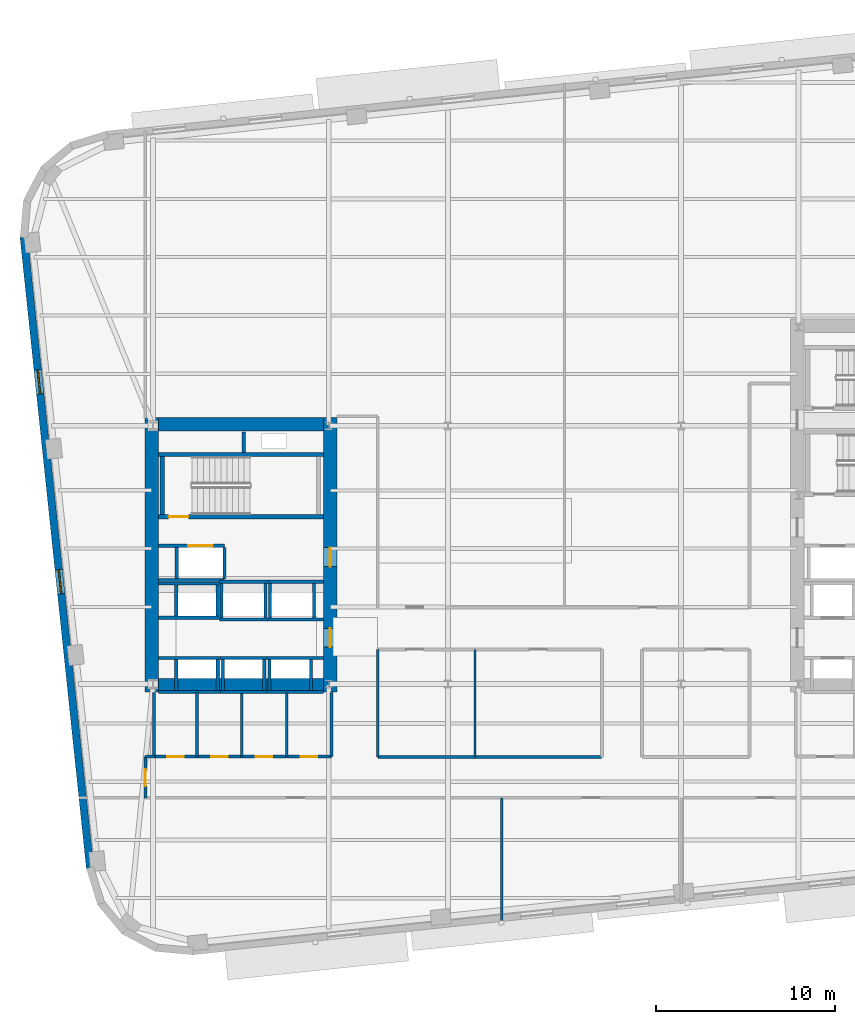
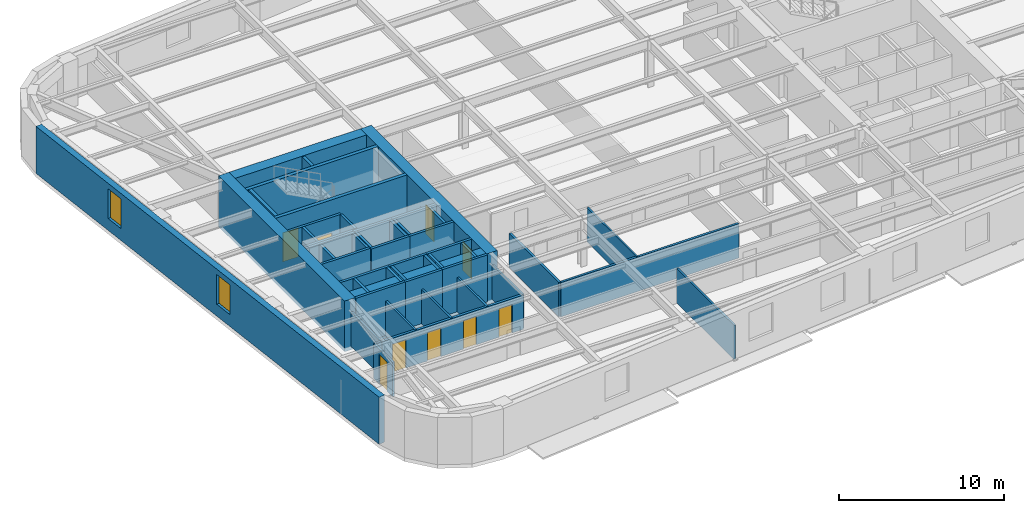
# One storey, part 4 of 12: 49 walls, 9 doors, 2 windows, 11 openings.
"""IFC4 building model written with IfcOpenShell, lengths in metres."""

from ifc_helpers import new_model, si_unit, direction, frame, frame_2d, origin, place, context, subcontext, project, spatial, rectangle, extrude, material, layer, layer_set, type_object, element, fill, save


model = new_model("IFC4")

# Units and contexts
model_context = context("Model", 3, precision=1e-05, world=origin(), true_north=direction((0.0, 1.0)))
body_context = subcontext(model_context, "Body", "Model", "MODEL_VIEW")
ifc_project = project(units=[si_unit("LENGTHUNIT", "METRE"), si_unit("AREAUNIT", "SQUARE_METRE"), si_unit("VOLUMEUNIT", "CUBIC_METRE"), si_unit("PLANEANGLEUNIT", "RADIAN"), si_unit("MASSUNIT", "GRAM", prefix="KILO")], contexts=[model_context])

# Site, building, storey
site_placement = place(None, origin())
site = spatial("IfcSite", under=ifc_project, at=site_placement, CompositionType="ELEMENT")
building_placement = place(site_placement, origin())
building = spatial("IfcBuilding", under=site, at=building_placement, Name="Kolvaren Arena Tower", CompositionType="ELEMENT")
storey_placement = place(building_placement, frame((0.0, 0.0, 110.949951171875)))
storey = spatial("IfcBuildingStorey", under=building, at=storey_placement, Name="L25", CompositionType="ELEMENT", Elevation=110.949951171875)

# Walls
ifc_material_1 = material(Name="Gypsum board acoustic assembly", Category="gypsum")
ifc_layer_1 = layer(ifc_material_1, 0.159912109375)
ifc_layer_set_1 = layer_set([ifc_layer_1], Name="Gypsum board acoustic assembly")
wall_type_1 = type_object("IfcWallType", Name="CORR-160", PredefinedType="PARTITIONING", material=ifc_layer_set_1)
wall_1_placement = place(storey_placement, frame((27.10009765625, 15.3798828125, 0.0), z_axis=(0.0, 0.0, 1.0), x_axis=(1.0, 0.0, 0.0)))
element("IfcWall", 1, at=wall_1_placement, inside=storey, type_object=wall_type_1, Name="Interior Partition Wall (L25)", PredefinedType="PARTITIONING", context=body_context, shape_type="SweptSolid", body=[
    extrude(rectangle(XDim=12.4599609375, YDim=0.159912109375, at=frame_2d((6.22998046875, 0.0))), origin(), (0.0, 0.0, 1.0), 2.5400390625),
])
wall_2_placement = place(storey_placement, frame((27.080078125, 15.3798828125, 0.0), z_axis=(0.0, 0.0, 1.0), x_axis=(0.0, 1.0, 0.0)))
element("IfcWall", 2, at=wall_2_placement, inside=storey, type_object=wall_type_1, Name="Interior Partition Wall (L25)", PredefinedType="PARTITIONING", context=body_context, shape_type="SweptSolid", body=[
    extrude(rectangle(XDim=6.0, YDim=0.159912109375, at=frame_2d((3.0, 0.0))), origin(), (0.0, 0.0, 1.0), 2.5400390625),
])

# Wall, opening, door
wall_3_placement = place(storey_placement, frame((14.1201171875, 13.10009765625, 0.0), z_axis=(0.0, 0.0, 1.0), x_axis=(0.0, 1.0, 0.0)))
wall_3 = element("IfcWall", 3, at=wall_3_placement, inside=storey, type_object=wall_type_1, Name="Interior Partition Wall (L25)", PredefinedType="PARTITIONING", context=body_context, shape_type="SweptSolid", body=[
    extrude(rectangle(XDim=2.2998046875, YDim=0.159912109375, at=frame_2d((1.14990234375, 0.0))), origin(), (0.0, 0.0, 1.0), 2.5400390625),
])
opening_1_placement = place(wall_3_placement, frame((0.64990234375, 0.0, 0.0)))
opening_1 = element("IfcOpeningElement", 4, at=opening_1_placement, cuts=wall_3, Name="Opening D05", PredefinedType="OPENING", context=body_context, shape_type="SweptSolid", body=[
    extrude(rectangle(XDim=0.949951171875, YDim=2.14990234375, at=frame_2d((0.47509765625, 1.074951171875))), frame((0.0, 0.08984375, 0.0), z_axis=(0.0, -1.0, 0.0), x_axis=(1.0, 0.0, 0.0)), (0.0, 0.0, 1.0), 0.179931640625),
])
ifc_material_2 = material(Name="Solid-core oak acoustic office door", Category="wood")
door_type_1 = type_object("IfcDoorType", Name="DOOR-OF-095", OperationType="NOTDEFINED", PredefinedType="DOOR", material=ifc_material_2)
door_1_placement = place(opening_1_placement, origin())
door_1 = element("IfcDoor", 5, at=door_1_placement, inside=storey, type_object=door_type_1, Name="West Wing Office Door (L25)", OperationType="SINGLE_SWING_LEFT", OverallHeight=2.14990234375, OverallWidth=0.949951171875, PredefinedType="DOOR", context=body_context, shape_type="SweptSolid", body=[
    extrude(rectangle(XDim=0.949951171875, YDim=2.14990234375, at=frame_2d((0.47509765625, 1.074951171875))), frame((0.0, 0.02490234375, 0.0), z_axis=(0.0, -1.0, 0.0), x_axis=(1.0, 0.0, 0.0)), (0.0, 0.0, 1.0), 0.050048828125),
])
fill(opening_1, door_1)

# Walls
wall_4_placement = place(storey_placement, frame((14.1201171875, 15.39990234375, 0.0), z_axis=(0.0, 0.0, 1.0), x_axis=(1.0, 0.0, 0.0)))
element("IfcWall", 6, at=wall_4_placement, inside=storey, type_object=wall_type_1, Name="Interior Partition Wall (L25)", PredefinedType="PARTITIONING", context=body_context, shape_type="SweptSolid", body=[
    extrude(rectangle(XDim=0.5, YDim=0.159912109375, at=frame_2d((0.25, 0.0))), origin(), (0.0, 0.0, 1.0), 2.5400390625),
])
ifc_material_3 = material(Name="Concrete 70 MPa", Category="concrete")
ifc_layer_2 = layer(ifc_material_3, 0.75)
ifc_layer_set_2 = layer_set([ifc_layer_2], Name="Concrete 70 MPa")
wall_type_2 = type_object("IfcWallType", Name="CWALL-750", PredefinedType="SHEAR", material=ifc_layer_set_2)
wall_5_placement = place(storey_placement, frame((14.47509765625, 19.0, -0.27001953125), z_axis=(0.0, 0.0, 1.0), x_axis=(0.0, 1.0, 0.0)))
element("IfcWall", 7, at=wall_5_placement, inside=storey, type_object=wall_type_2, Name="Core Shear Wall WC-WEST (L25)", PredefinedType="SHEAR", context=body_context, shape_type="SweptSolid", body=[
    extrude(rectangle(XDim=15.300048828125, YDim=0.75, at=frame_2d((7.64990234375, 0.0))), origin(), (0.0, 0.0, 1.0), 3.75),
])

# Wall, openings, doors
wall_6_placement = place(storey_placement, frame((24.425048828125, 19.0, -0.27001953125), z_axis=(0.0, 0.0, 1.0), x_axis=(0.0, 1.0, 0.0)))
wall_6 = element("IfcWall", 8, at=wall_6_placement, inside=storey, type_object=wall_type_2, Name="Core Shear Wall WC-EAST (L25)", PredefinedType="SHEAR", context=body_context, shape_type="SweptSolid", body=[
    extrude(rectangle(XDim=15.300048828125, YDim=0.75, at=frame_2d((7.64990234375, 0.0))), origin(), (0.0, 0.0, 1.0), 3.75),
])
opening_2_placement = place(wall_6_placement, frame((2.5, 0.0, 0.27001953125)))
opening_2 = element("IfcOpeningElement", 9, at=opening_2_placement, cuts=wall_6, Name="Opening D04", PredefinedType="OPENING", context=body_context, shape_type="SweptSolid", body=[
    extrude(rectangle(XDim=1.050048828125, YDim=2.14990234375, at=frame_2d((0.52490234375, 1.074951171875))), frame((0.0, 0.385009765625, 0.0), z_axis=(0.0, -1.0, 0.0), x_axis=(1.0, 0.0, 0.0)), (0.0, 0.0, 1.0), 0.77001953125),
])
opening_3_placement = place(wall_6_placement, frame((7.0, 0.0, 0.27001953125)))
opening_3 = element("IfcOpeningElement", 10, at=opening_3_placement, cuts=wall_6, Name="Opening D04", PredefinedType="OPENING", context=body_context, shape_type="SweptSolid", body=[
    extrude(rectangle(XDim=1.050048828125, YDim=2.14990234375, at=frame_2d((0.52490234375, 1.074951171875))), frame((0.0, 0.385009765625, 0.0), z_axis=(0.0, -1.0, 0.0), x_axis=(1.0, 0.0, 0.0)), (0.0, 0.0, 1.0), 0.77001953125),
])
ifc_material_4 = material(Name="Fire-rated steel lobby door", Category="steel")
door_type_2 = type_object("IfcDoorType", Name="DOOR-FF-105", OperationType="NOTDEFINED", PredefinedType="DOOR", material=ifc_material_4)
door_2_placement = place(opening_2_placement, origin())
door_2 = element("IfcDoor", 11, at=door_2_placement, inside=storey, type_object=door_type_2, Name="West Lift Lobby Fire Door (L25)", OperationType="SINGLE_SWING_LEFT", OverallHeight=2.14990234375, OverallWidth=1.050048828125, PredefinedType="DOOR", context=body_context, shape_type="SweptSolid", body=[
    extrude(rectangle(XDim=1.050048828125, YDim=2.14990234375, at=frame_2d((0.52490234375, 1.074951171875))), frame((0.0, 0.02490234375, 0.0), z_axis=(0.0, -1.0, 0.0), x_axis=(1.0, 0.0, 0.0)), (0.0, 0.0, 1.0), 0.050048828125),
])
fill(opening_2, door_2)
door_3_placement = place(opening_3_placement, origin())
door_3 = element("IfcDoor", 12, at=door_3_placement, inside=storey, type_object=door_type_2, Name="West Firefighter Vestibule Door (L25)", OperationType="SINGLE_SWING_RIGHT", OverallHeight=2.14990234375, OverallWidth=1.050048828125, PredefinedType="DOOR", context=body_context, shape_type="SweptSolid", body=[
    extrude(rectangle(XDim=1.050048828125, YDim=2.14990234375, at=frame_2d((0.52490234375, 1.074951171875))), frame((0.0, 0.02490234375, 0.0), z_axis=(0.0, -1.0, 0.0), x_axis=(1.0, 0.0, 0.0)), (0.0, 0.0, 1.0), 0.050048828125),
])
fill(opening_3, door_3)

# Walls
for number, where, z_axis, x_axis, name in (
    (13, (14.85009765625, 19.375, -0.27001953125), (0.0, 0.0, 1.0), (1.0, 0.0, 0.0), "Core Shear Wall WC-SOUTH (L25)"),
    (14, (14.85009765625, 33.925048828125, -0.27001953125), (0.0, 0.0, 1.0), (1.0, 0.0, 0.0), "Core Shear Wall WC-NORTH (L25)"),
):
    element("IfcWall", number, at=place(storey_placement, frame(where, z_axis=z_axis, x_axis=x_axis)), inside=storey, type_object=wall_type_2, Name=name, PredefinedType="SHEAR", context=body_context, shape_type="SweptSolid", body=[
        extrude(rectangle(XDim=9.199951171875, YDim=0.75, at=frame_2d((4.60009765625, 0.0))), origin(), (0.0, 0.0, 1.0), 3.75),
    ])

# Wall, openings, windows
ifc_material_5 = material(Name="Precast concrete C50/60", Category="concrete")
ifc_layer_3 = layer(ifc_material_5, 0.419921875)
ifc_layer_set_3 = layer_set([ifc_layer_3], Name="Precast concrete C50/60")
wall_type_3 = type_object("IfcWallType", Name="EXT-PIER1", PredefinedType="SOLIDWALL", material=ifc_layer_set_3)
wall_7_placement = place(storey_placement, frame((11.039794921875, 9.16943359375, 0.0), z_axis=(0.0, 0.0, 1.0), x_axis=(-0.104532207177, 0.99452150186, 0.0)))
wall_7 = element("IfcWall", 15, at=wall_7_placement, inside=storey, type_object=wall_type_3, Name="Exterior Precast Masonry-Frame Wall (L25)", PredefinedType="SOLIDWALL", context=body_context, shape_type="SweptSolid", body=[
    extrude(rectangle(XDim=35.39990234375, YDim=0.419921875, at=frame_2d((17.699951171875, 0.0))), origin(), (0.0, 0.0, 1.0), 3.47998046875),
])
opening_4_placement = place(wall_7_placement, frame((15.39990234375, 0.0, 0.8798828125)))
opening_4 = element("IfcOpeningElement", 16, at=opening_4_placement, cuts=wall_7, Name="Opening W04", PredefinedType="OPENING", context=body_context, shape_type="SweptSolid", body=[
    extrude(rectangle(XDim=1.35009765625, YDim=2.199951171875, at=frame_2d((0.675048828125, 1.10009765625))), frame((0.0, 0.219970703125, 0.0), z_axis=(0.0, -1.0, 0.0), x_axis=(1.0, 0.0, 0.0)), (0.0, 0.0, 1.0), 0.43994140625),
])
opening_5_placement = place(wall_7_placement, frame((26.60009765625, 0.0, 0.8798828125)))
opening_5 = element("IfcOpeningElement", 17, at=opening_5_placement, cuts=wall_7, Name="Opening W04", PredefinedType="OPENING", context=body_context, shape_type="SweptSolid", body=[
    extrude(rectangle(XDim=1.35009765625, YDim=2.199951171875, at=frame_2d((0.675048828125, 1.10009765625))), frame((0.0, 0.219970703125, 0.0), z_axis=(0.0, -1.0, 0.0), x_axis=(1.0, 0.0, 0.0)), (0.0, 0.0, 1.0), 0.43994140625),
])
ifc_material_6 = material(Name="Triple-glazed curved-facet corner window", Category="glass")
window_type = type_object("IfcWindowType", Name="WIN-CRN-A", PartitioningType="SINGLE_PANEL", PredefinedType="WINDOW", material=ifc_material_6)
window_1_placement = place(opening_4_placement, origin())
window_1 = element("IfcWindow", 18, at=window_1_placement, inside=storey, type_object=window_type, Name="End-Wall Punched Window (L25)", OverallHeight=2.199951171875, OverallWidth=1.35009765625, PartitioningType="SINGLE_PANEL", PredefinedType="WINDOW", context=body_context, shape_type="SweptSolid", body=[
    extrude(rectangle(XDim=1.35009765625, YDim=2.199951171875, at=frame_2d((0.675048828125, 1.10009765625))), frame((0.0, 0.030029296875, 0.0), z_axis=(0.0, -1.0, 0.0), x_axis=(1.0, 0.0, 0.0)), (0.0, 0.0, 1.0), 0.06005859375),
])
fill(opening_4, window_1)
window_2_placement = place(opening_5_placement, origin())
window_2 = element("IfcWindow", 19, at=window_2_placement, inside=storey, type_object=window_type, Name="End-Wall Punched Window (L25)", OverallHeight=2.199951171875, OverallWidth=1.35009765625, PartitioningType="SINGLE_PANEL", PredefinedType="WINDOW", context=body_context, shape_type="SweptSolid", body=[
    extrude(rectangle(XDim=1.35009765625, YDim=2.199951171875, at=frame_2d((0.675048828125, 1.10009765625))), frame((0.0, 0.030029296875, 0.0), z_axis=(0.0, -1.0, 0.0), x_axis=(1.0, 0.0, 0.0)), (0.0, 0.0, 1.0), 0.06005859375),
])
fill(opening_5, window_2)

# Walls
ifc_material_7 = material(Name="Gypsum board partition assembly", Category="gypsum")
ifc_layer_4 = layer(ifc_material_7, 0.114990234375)
ifc_layer_set_4 = layer_set([ifc_layer_4], Name="Gypsum board partition assembly")
wall_type_4 = type_object("IfcWallType", Name="PART-115", PredefinedType="PARTITIONING", material=ifc_layer_set_4)
wall_8_placement = place(storey_placement, frame((32.5, 15.3798828125, 0.0), z_axis=(0.0, 0.0, 1.0), x_axis=(0.0, 1.0, 0.0)))
element("IfcWall", 20, at=wall_8_placement, inside=storey, type_object=wall_type_4, Name="Interior Partition Wall (L25)", PredefinedType="PARTITIONING", context=body_context, shape_type="SweptSolid", body=[
    extrude(rectangle(XDim=6.0, YDim=0.114990234375, at=frame_2d((3.0, 0.0))), origin(), (0.0, 0.0, 1.0), 2.5400390625),
])
ifc_layer_5 = layer(ifc_material_7, 0.135009765625)
ifc_layer_set_5 = layer_set([ifc_layer_5], Name="Gypsum board partition assembly")
wall_type_5 = type_object("IfcWallType", Name="PART-135", PredefinedType="PARTITIONING", material=ifc_layer_set_5)
wall_9_placement = place(storey_placement, frame((34.0, 6.153076171875, 0.0), z_axis=(0.0, 0.0, 1.0), x_axis=(0.0, 1.0, 0.0)))
element("IfcWall", 21, at=wall_9_placement, inside=storey, type_object=wall_type_5, Name="Interior Partition Wall (L25)", PredefinedType="PARTITIONING", context=body_context, shape_type="SweptSolid", body=[
    extrude(rectangle(XDim=6.947021484375, YDim=0.135009765625, at=frame_2d((3.4736328125, 0.0))), origin(), (0.0, 0.0, 1.0), 2.5400390625),
])

# Wall, opening, door
ifc_material_8 = material(Name="Concrete 45 MPa", Category="concrete")
ifc_layer_6 = layer(ifc_material_8, 0.25)
ifc_layer_set_6 = layer_set([ifc_layer_6], Name="Concrete 45 MPa")
wall_type_6 = type_object("IfcWallType", Name="SHAFT-250", PredefinedType="SOLIDWALL", material=ifc_layer_set_6)
wall_10_placement = place(storey_placement, frame((24.050048828125, 28.780029296875, 0.0), z_axis=(0.0, 0.0, 1.0), x_axis=(-1.0, 0.0, 0.0)))
wall_10 = element("IfcWall", 22, at=wall_10_placement, inside=storey, type_object=wall_type_6, Name="Core Shaft Wall (L25)", PredefinedType="SOLIDWALL", context=body_context, shape_type="SweptSolid", body=[
    extrude(rectangle(XDim=9.199951171875, YDim=0.239990234375, at=frame_2d((4.60009765625, 0.0))), origin(), (0.0, 0.0, 1.0), 3.47998046875),
])
opening_6_placement = place(wall_10_placement, frame((7.530029296875, 0.0, 0.0)))
opening_6 = element("IfcOpeningElement", 23, at=opening_6_placement, cuts=wall_10, Name="Opening D03", PredefinedType="OPENING", context=body_context, shape_type="SweptSolid", body=[
    extrude(rectangle(XDim=1.10009765625, YDim=2.14990234375, at=frame_2d((0.550048828125, 1.074951171875))), frame((0.0, 0.1298828125, 0.0), z_axis=(0.0, -1.0, 0.0), x_axis=(1.0, 0.0, 0.0)), (0.0, 0.0, 1.0), 0.260009765625),
])
ifc_material_9 = material(Name="Fire-rated steel exit stair door", Category="steel")
door_type_3 = type_object("IfcDoorType", Name="DOOR-ST-110", OperationType="NOTDEFINED", PredefinedType="DOOR", material=ifc_material_9)
door_4_placement = place(opening_6_placement, origin())
door_4 = element("IfcDoor", 24, at=door_4_placement, inside=storey, type_object=door_type_3, Name="Stair ST-W1 Fire Door (L25)", OperationType="SINGLE_SWING_RIGHT", OverallHeight=2.14990234375, OverallWidth=1.10009765625, PredefinedType="DOOR", context=body_context, shape_type="SweptSolid", body=[
    extrude(rectangle(XDim=1.10009765625, YDim=2.14990234375, at=frame_2d((0.550048828125, 1.074951171875))), frame((0.0, 0.02490234375, 0.0), z_axis=(0.0, -1.0, 0.0), x_axis=(1.0, 0.0, 0.0)), (0.0, 0.0, 1.0), 0.050048828125),
])
fill(opening_6, door_4)

# Walls
wall_11_placement = place(storey_placement, frame((14.85009765625, 32.25, 0.0), z_axis=(0.0, 0.0, 1.0), x_axis=(1.0, 0.0, 0.0)))
element("IfcWall", 25, at=wall_11_placement, inside=storey, type_object=wall_type_6, Name="Core Shaft Wall (L25)", PredefinedType="SOLIDWALL", context=body_context, shape_type="SweptSolid", body=[
    extrude(rectangle(XDim=9.199951171875, YDim=0.239990234375, at=frame_2d((4.60009765625, 0.0))), origin(), (0.0, 0.0, 1.0), 3.47998046875),
])
wall_12_placement = place(storey_placement, frame((15.06005859375, 28.89990234375, 0.0), z_axis=(0.0, 0.0, 1.0), x_axis=(0.0, 1.0, 0.0)))
element("IfcWall", 26, at=wall_12_placement, inside=storey, type_object=wall_type_6, Name="Core Shaft Wall (L25)", PredefinedType="SOLIDWALL", context=body_context, shape_type="SweptSolid", body=[
    extrude(rectangle(XDim=3.22998046875, YDim=0.239990234375, at=frame_2d((1.614990234375, 0.0))), origin(), (0.0, 0.0, 1.0), 3.47998046875),
])
wall_13_placement = place(storey_placement, frame((19.60009765625, 32.3701171875, 0.0), z_axis=(0.0, 0.0, 1.0), x_axis=(0.0, 1.0, 0.0)))
element("IfcWall", 27, at=wall_13_placement, inside=storey, type_object=wall_type_6, Name="Core Shaft Wall (L25)", PredefinedType="SOLIDWALL", context=body_context, shape_type="SweptSolid", body=[
    extrude(rectangle(XDim=1.1298828125, YDim=0.199951171875, at=frame_2d((0.56494140625, 0.0))), origin(), (0.0, 0.0, 1.0), 3.47998046875),
])
for number, where, z_axis, x_axis, name in (
    (28, (14.85009765625, 20.905029296875, 0.0), (0.0, 0.0, 1.0), (1.0, 0.0, 0.0), "Core Shaft Wall (L25)"),
    (29, (14.85009765625, 18.9951171875, 0.0), (0.0, 0.0, 1.0), (1.0, 0.0, 0.0), "Core Shaft Wall (L25)"),
):
    element("IfcWall", number, at=place(storey_placement, frame(where, z_axis=z_axis, x_axis=x_axis)), inside=storey, type_object=wall_type_6, Name=name, PredefinedType="SOLIDWALL", context=body_context, shape_type="SweptSolid", body=[
        extrude(rectangle(XDim=3.449951171875, YDim=0.179931640625, at=frame_2d((1.72509765625, 0.0))), origin(), (0.0, 0.0, 1.0), 3.47998046875),
    ])
for number, where, z_axis, x_axis, name in (
    (30, (15.844970703125, 19.0849609375, 0.0), (0.0, 0.0, 1.0), (0.0, 1.0, 0.0), "Core Shaft Wall (L25)"),
    (31, (18.155029296875, 19.0849609375, 0.0), (0.0, 0.0, 1.0), (0.0, 1.0, 0.0), "Core Shaft Wall (L25)"),
):
    element("IfcWall", number, at=place(storey_placement, frame(where, z_axis=z_axis, x_axis=x_axis)), inside=storey, type_object=wall_type_6, Name=name, PredefinedType="SOLIDWALL", context=body_context, shape_type="SweptSolid", body=[
        extrude(rectangle(XDim=1.72998046875, YDim=0.179931640625, at=frame_2d((0.864990234375, 0.0))), origin(), (0.0, 0.0, 1.0), 3.47998046875),
    ])
for number, where, z_axis, x_axis, name in (
    (32, (18.300048828125, 20.905029296875, 0.0), (0.0, 0.0, 1.0), (1.0, 0.0, 0.0), "Core Shaft Wall (L25)"),
    (33, (18.300048828125, 18.9951171875, 0.0), (0.0, 0.0, 1.0), (1.0, 0.0, 0.0), "Core Shaft Wall (L25)"),
):
    element("IfcWall", number, at=place(storey_placement, frame(where, z_axis=z_axis, x_axis=x_axis)), inside=storey, type_object=wall_type_6, Name=name, PredefinedType="SOLIDWALL", context=body_context, shape_type="SweptSolid", body=[
        extrude(rectangle(XDim=2.599853515625, YDim=0.179931640625, at=frame_2d((1.2998046875, 0.0))), origin(), (0.0, 0.0, 1.0), 3.47998046875),
    ])
for number, where, z_axis, x_axis, name in (
    (34, (18.445068359375, 19.0849609375, 0.0), (0.0, 0.0, 1.0), (0.0, 1.0, 0.0), "Core Shaft Wall (L25)"),
    (35, (20.7548828125, 19.0849609375, 0.0), (0.0, 0.0, 1.0), (0.0, 1.0, 0.0), "Core Shaft Wall (L25)"),
):
    element("IfcWall", number, at=place(storey_placement, frame(where, z_axis=z_axis, x_axis=x_axis)), inside=storey, type_object=wall_type_6, Name=name, PredefinedType="SOLIDWALL", context=body_context, shape_type="SweptSolid", body=[
        extrude(rectangle(XDim=1.72998046875, YDim=0.179931640625, at=frame_2d((0.864990234375, 0.0))), origin(), (0.0, 0.0, 1.0), 3.47998046875),
    ])
for number, where, z_axis, x_axis, name in (
    (36, (20.89990234375, 20.905029296875, 0.0), (0.0, 0.0, 1.0), (1.0, 0.0, 0.0), "Core Shaft Wall (L25)"),
    (37, (20.89990234375, 18.9951171875, 0.0), (0.0, 0.0, 1.0), (1.0, 0.0, 0.0), "Core Shaft Wall (L25)"),
):
    element("IfcWall", number, at=place(storey_placement, frame(where, z_axis=z_axis, x_axis=x_axis)), inside=storey, type_object=wall_type_6, Name=name, PredefinedType="SOLIDWALL", context=body_context, shape_type="SweptSolid", body=[
        extrude(rectangle(XDim=3.150146484375, YDim=0.179931640625, at=frame_2d((1.5751953125, 0.0))), origin(), (0.0, 0.0, 1.0), 3.47998046875),
    ])
for number, where, z_axis, x_axis, name in (
    (38, (21.044921875, 19.0849609375, 0.0), (0.0, 0.0, 1.0), (0.0, 1.0, 0.0), "Core Shaft Wall (L25)"),
    (39, (23.35498046875, 19.0849609375, 0.0), (0.0, 0.0, 1.0), (0.0, 1.0, 0.0), "Core Shaft Wall (L25)"),
):
    element("IfcWall", number, at=place(storey_placement, frame(where, z_axis=z_axis, x_axis=x_axis)), inside=storey, type_object=wall_type_6, Name=name, PredefinedType="SOLIDWALL", context=body_context, shape_type="SweptSolid", body=[
        extrude(rectangle(XDim=1.72998046875, YDim=0.179931640625, at=frame_2d((0.864990234375, 0.0))), origin(), (0.0, 0.0, 1.0), 3.47998046875),
    ])
for number, where, z_axis, x_axis, name in (
    (40, (14.85009765625, 25.054931640625, 0.0), (0.0, 0.0, 1.0), (1.0, 0.0, 0.0), "Core Shaft Wall (L25)"),
    (41, (14.85009765625, 23.14501953125, 0.0), (0.0, 0.0, 1.0), (1.0, 0.0, 0.0), "Core Shaft Wall (L25)"),
):
    element("IfcWall", number, at=place(storey_placement, frame(where, z_axis=z_axis, x_axis=x_axis)), inside=storey, type_object=wall_type_6, Name=name, PredefinedType="SOLIDWALL", context=body_context, shape_type="SweptSolid", body=[
        extrude(rectangle(XDim=3.412353515625, YDim=0.179931640625, at=frame_2d((1.7060546875, 0.0))), origin(), (0.0, 0.0, 1.0), 3.47998046875),
    ])
for number, where, z_axis, x_axis, name in (
    (42, (15.844970703125, 23.235107421875, 0.0), (0.0, 0.0, 1.0), (0.0, 1.0, 0.0), "Core Shaft Wall (L25)"),
    (43, (18.155029296875, 23.235107421875, 0.0), (0.0, 0.0, 1.0), (0.0, 1.0, 0.0), "Core Shaft Wall (L25)"),
):
    element("IfcWall", number, at=place(storey_placement, frame(where, z_axis=z_axis, x_axis=x_axis)), inside=storey, type_object=wall_type_6, Name=name, PredefinedType="SOLIDWALL", context=body_context, shape_type="SweptSolid", body=[
        extrude(rectangle(XDim=1.72998046875, YDim=0.179931640625, at=frame_2d((0.864990234375, 0.0))), origin(), (0.0, 0.0, 1.0), 3.47998046875),
    ])
for number, where, z_axis, x_axis, name in (
    (44, (18.262451171875, 25.155029296875, 0.0), (0.0, 0.0, 1.0), (1.0, 0.0, 0.0), "Core Shaft Wall (L25)"),
    (45, (18.262451171875, 23.044921875, 0.0), (0.0, 0.0, 1.0), (1.0, 0.0, 0.0), "Core Shaft Wall (L25)"),
):
    element("IfcWall", number, at=place(storey_placement, frame(where, z_axis=z_axis, x_axis=x_axis)), inside=storey, type_object=wall_type_6, Name=name, PredefinedType="SOLIDWALL", context=body_context, shape_type="SweptSolid", body=[
        extrude(rectangle(XDim=2.6875, YDim=0.179931640625, at=frame_2d((1.34375, 0.0))), origin(), (0.0, 0.0, 1.0), 3.47998046875),
    ])
for number, where, z_axis, x_axis, name in (
    (46, (18.3701171875, 23.135009765625, 0.0), (0.0, 0.0, 1.0), (0.0, 1.0, 0.0), "Core Shaft Wall (L25)"),
    (47, (20.830078125, 23.135009765625, 0.0), (0.0, 0.0, 1.0), (0.0, 1.0, 0.0), "Core Shaft Wall (L25)"),
):
    element("IfcWall", number, at=place(storey_placement, frame(where, z_axis=z_axis, x_axis=x_axis)), inside=storey, type_object=wall_type_6, Name=name, PredefinedType="SOLIDWALL", context=body_context, shape_type="SweptSolid", body=[
        extrude(rectangle(XDim=1.929931640625, YDim=0.179931640625, at=frame_2d((0.96484375, 0.0))), origin(), (0.0, 0.0, 1.0), 3.47998046875),
    ])
for number, where, z_axis, x_axis, name in (
    (48, (20.949951171875, 25.155029296875, 0.0), (0.0, 0.0, 1.0), (1.0, 0.0, 0.0), "Core Shaft Wall (L25)"),
    (49, (20.949951171875, 23.044921875, 0.0), (0.0, 0.0, 1.0), (1.0, 0.0, 0.0), "Core Shaft Wall (L25)"),
):
    element("IfcWall", number, at=place(storey_placement, frame(where, z_axis=z_axis, x_axis=x_axis)), inside=storey, type_object=wall_type_6, Name=name, PredefinedType="SOLIDWALL", context=body_context, shape_type="SweptSolid", body=[
        extrude(rectangle(XDim=3.10009765625, YDim=0.179931640625, at=frame_2d((1.550048828125, 0.0))), origin(), (0.0, 0.0, 1.0), 3.47998046875),
    ])
for number, where, z_axis, x_axis, name in (
    (50, (21.070068359375, 23.135009765625, 0.0), (0.0, 0.0, 1.0), (0.0, 1.0, 0.0), "Core Shaft Wall (L25)"),
    (51, (23.530029296875, 23.135009765625, 0.0), (0.0, 0.0, 1.0), (0.0, 1.0, 0.0), "Core Shaft Wall (L25)"),
):
    element("IfcWall", number, at=place(storey_placement, frame(where, z_axis=z_axis, x_axis=x_axis)), inside=storey, type_object=wall_type_6, Name=name, PredefinedType="SOLIDWALL", context=body_context, shape_type="SweptSolid", body=[
        extrude(rectangle(XDim=1.929931640625, YDim=0.179931640625, at=frame_2d((0.96484375, 0.0))), origin(), (0.0, 0.0, 1.0), 3.47998046875),
    ])

# Wall, opening, door
wall_14_placement = place(storey_placement, frame((14.85009765625, 27.155029296875, 0.0), z_axis=(0.0, 0.0, 1.0), x_axis=(1.0, 0.0, 0.0)))
wall_14 = element("IfcWall", 52, at=wall_14_placement, inside=storey, type_object=wall_type_6, Name="Core Shaft Wall (L25)", PredefinedType="SOLIDWALL", context=body_context, shape_type="SweptSolid", body=[
    extrude(rectangle(XDim=3.679931640625, YDim=0.179931640625, at=frame_2d((1.83984375, 0.0))), origin(), (0.0, 0.0, 1.0), 3.47998046875),
])
opening_7_placement = place(wall_14_placement, frame((1.675048828125, 0.0, 0.0)))
opening_7 = element("IfcOpeningElement", 53, at=opening_7_placement, cuts=wall_14, Name="Opening LD2", PredefinedType="OPENING", context=body_context, shape_type="SweptSolid", body=[
    extrude(rectangle(XDim=1.35009765625, YDim=2.300048828125, at=frame_2d((0.675048828125, 1.14990234375))), frame((0.0, 0.099853515625, 0.0), z_axis=(0.0, -1.0, 0.0), x_axis=(1.0, 0.0, 0.0)), (0.0, 0.0, 1.0), 0.199951171875),
])
ifc_material_10 = material(Name="Stainless steel firefighter lift landing door", Category="steel")
door_type_4 = type_object("IfcDoorType", Name="DOOR-LD-135", OperationType="DOUBLE_DOOR_SLIDING", PredefinedType="DOOR", material=ifc_material_10)
door_5_placement = place(opening_7_placement, origin())
door_5 = element("IfcDoor", 54, at=door_5_placement, inside=storey, type_object=door_type_4, Name="Firefighter Lift FF-W1 Landing Door (L25)", OperationType="DOUBLE_DOOR_SLIDING", OverallHeight=2.300048828125, OverallWidth=1.35009765625, PredefinedType="DOOR", context=body_context, shape_type="SweptSolid", body=[
    extrude(rectangle(XDim=1.35009765625, YDim=2.300048828125, at=frame_2d((0.675048828125, 1.14990234375))), frame((0.0, 0.02490234375, 0.0), z_axis=(0.0, -1.0, 0.0), x_axis=(1.0, 0.0, 0.0)), (0.0, 0.0, 1.0), 0.050048828125),
])
fill(opening_7, door_5)

# Walls
wall_15_placement = place(storey_placement, frame((14.85009765625, 25.2451171875, 0.0), z_axis=(0.0, 0.0, 1.0), x_axis=(1.0, 0.0, 0.0)))
element("IfcWall", 55, at=wall_15_placement, inside=storey, type_object=wall_type_6, Name="Core Shaft Wall (L25)", PredefinedType="SOLIDWALL", context=body_context, shape_type="SweptSolid", body=[
    extrude(rectangle(XDim=3.679931640625, YDim=0.179931640625, at=frame_2d((1.83984375, 0.0))), origin(), (0.0, 0.0, 1.0), 3.47998046875),
])
for number, where, z_axis, x_axis, name in (
    (56, (15.8701171875, 25.3349609375, 0.0), (0.0, 0.0, 1.0), (0.0, 1.0, 0.0), "Core Shaft Wall (L25)"),
    (57, (18.530029296875, 25.3349609375, 0.0), (0.0, 0.0, 1.0), (0.0, 1.0, 0.0), "Core Shaft Wall (L25)"),
):
    element("IfcWall", number, at=place(storey_placement, frame(where, z_axis=z_axis, x_axis=x_axis)), inside=storey, type_object=wall_type_6, Name=name, PredefinedType="SOLIDWALL", context=body_context, shape_type="SweptSolid", body=[
        extrude(rectangle(XDim=1.72998046875, YDim=0.179931640625, at=frame_2d((0.864990234375, 0.0))), origin(), (0.0, 0.0, 1.0), 3.47998046875),
    ])
ifc_material_11 = material(Name="Moisture-resistant gypsum assembly", Category="gypsum")
ifc_layer_7 = layer(ifc_material_11, 0.14990234375)
ifc_layer_set_7 = layer_set([ifc_layer_7], Name="Moisture-resistant gypsum assembly")
wall_type_7 = type_object("IfcWallType", Name="WETW-150", PredefinedType="PARTITIONING", material=ifc_layer_set_7)
for number, where, z_axis, x_axis, name in (
    (58, (17.0, 15.39990234375, 0.0), (0.0, 0.0, 1.0), (0.0, 1.0, 0.0), "Interior Partition Wall (L25)"),
    (59, (19.5, 15.39990234375, 0.0), (0.0, 0.0, 1.0), (0.0, 1.0, 0.0), "Interior Partition Wall (L25)"),
    (60, (22.0, 15.39990234375, 0.0), (0.0, 0.0, 1.0), (0.0, 1.0, 0.0), "Interior Partition Wall (L25)"),
):
    element("IfcWall", number, at=place(storey_placement, frame(where, z_axis=z_axis, x_axis=x_axis)), inside=storey, type_object=wall_type_7, Name=name, PredefinedType="PARTITIONING", context=body_context, shape_type="SweptSolid", body=[
        extrude(rectangle(XDim=3.580078125, YDim=0.14990234375, at=frame_2d((1.7900390625, 0.0))), origin(), (0.0, 0.0, 1.0), 2.5400390625),
    ])

# Wall, openings, doors
wall_16_placement = place(storey_placement, frame((14.60009765625, 15.39990234375, 0.0), z_axis=(0.0, 0.0, 1.0), x_axis=(1.0, 0.0, 0.0)))
wall_16 = element("IfcWall", 61, at=wall_16_placement, inside=storey, type_object=wall_type_7, Name="Interior Partition Wall (L25)", PredefinedType="PARTITIONING", context=body_context, shape_type="SweptSolid", body=[
    extrude(rectangle(XDim=9.89990234375, YDim=0.179931640625, at=frame_2d((4.949951171875, 0.0))), origin(), (0.0, 0.0, 1.0), 2.5400390625),
])
opening_8_placement = place(wall_16_placement, frame((0.739990234375, 0.0, 0.0)))
opening_8 = element("IfcOpeningElement", 62, at=opening_8_placement, cuts=wall_16, Name="Opening D07", PredefinedType="OPENING", context=body_context, shape_type="SweptSolid", body=[
    extrude(rectangle(XDim=0.919921875, YDim=2.10009765625, at=frame_2d((0.4599609375, 1.050048828125))), frame((0.0, 0.099853515625, 0.0), z_axis=(0.0, -1.0, 0.0), x_axis=(1.0, 0.0, 0.0)), (0.0, 0.0, 1.0), 0.199951171875),
])
opening_9_placement = place(wall_16_placement, frame((3.18994140625, 0.0, 0.0)))
opening_9 = element("IfcOpeningElement", 63, at=opening_9_placement, cuts=wall_16, Name="Opening D07", PredefinedType="OPENING", context=body_context, shape_type="SweptSolid", body=[
    extrude(rectangle(XDim=0.919921875, YDim=2.10009765625, at=frame_2d((0.4599609375, 1.050048828125))), frame((0.0, 0.099853515625, 0.0), z_axis=(0.0, -1.0, 0.0), x_axis=(1.0, 0.0, 0.0)), (0.0, 0.0, 1.0), 0.199951171875),
])
opening_10_placement = place(wall_16_placement, frame((5.68994140625, 0.0, 0.0)))
opening_10 = element("IfcOpeningElement", 64, at=opening_10_placement, cuts=wall_16, Name="Opening D07", PredefinedType="OPENING", context=body_context, shape_type="SweptSolid", body=[
    extrude(rectangle(XDim=0.919921875, YDim=2.10009765625, at=frame_2d((0.4599609375, 1.050048828125))), frame((0.0, 0.099853515625, 0.0), z_axis=(0.0, -1.0, 0.0), x_axis=(1.0, 0.0, 0.0)), (0.0, 0.0, 1.0), 0.199951171875),
])
opening_11_placement = place(wall_16_placement, frame((8.18994140625, 0.0, 0.0)))
opening_11 = element("IfcOpeningElement", 65, at=opening_11_placement, cuts=wall_16, Name="Opening D07", PredefinedType="OPENING", context=body_context, shape_type="SweptSolid", body=[
    extrude(rectangle(XDim=0.919921875, YDim=2.10009765625, at=frame_2d((0.4599609375, 1.050048828125))), frame((0.0, 0.099853515625, 0.0), z_axis=(0.0, -1.0, 0.0), x_axis=(1.0, 0.0, 0.0)), (0.0, 0.0, 1.0), 0.199951171875),
])
ifc_material_12 = material(Name="Laminate universal washroom door", Category="wood")
door_type_5 = type_object("IfcDoorType", Name="DOOR-WC-092", OperationType="NOTDEFINED", PredefinedType="DOOR", material=ifc_material_12)
door_6_placement = place(opening_8_placement, origin())
door_6 = element("IfcDoor", 66, at=door_6_placement, inside=storey, type_object=door_type_5, Name="Cleaner and Janitor Store Door (L25)", OperationType="SINGLE_SWING_LEFT", OverallHeight=2.10009765625, OverallWidth=0.919921875, PredefinedType="DOOR", context=body_context, shape_type="SweptSolid", body=[
    extrude(rectangle(XDim=0.919921875, YDim=2.10009765625, at=frame_2d((0.4599609375, 1.050048828125))), frame((0.0, 0.02490234375, 0.0), z_axis=(0.0, -1.0, 0.0), x_axis=(1.0, 0.0, 0.0)), (0.0, 0.0, 1.0), 0.050048828125),
])
fill(opening_8, door_6)
door_7_placement = place(opening_9_placement, origin())
door_7 = element("IfcDoor", 67, at=door_7_placement, inside=storey, type_object=door_type_5, Name="Universal Barrier-Free Washroom Door (L25)", OperationType="SINGLE_SWING_RIGHT", OverallHeight=2.10009765625, OverallWidth=0.919921875, PredefinedType="DOOR", context=body_context, shape_type="SweptSolid", body=[
    extrude(rectangle(XDim=0.919921875, YDim=2.10009765625, at=frame_2d((0.4599609375, 1.050048828125))), frame((0.0, 0.02490234375, 0.0), z_axis=(0.0, -1.0, 0.0), x_axis=(1.0, 0.0, 0.0)), (0.0, 0.0, 1.0), 0.050048828125),
])
fill(opening_9, door_7)
door_8_placement = place(opening_10_placement, origin())
door_8 = element("IfcDoor", 68, at=door_8_placement, inside=storey, type_object=door_type_5, Name="Women Restroom Door (L25)", OperationType="SINGLE_SWING_LEFT", OverallHeight=2.10009765625, OverallWidth=0.919921875, PredefinedType="DOOR", context=body_context, shape_type="SweptSolid", body=[
    extrude(rectangle(XDim=0.919921875, YDim=2.10009765625, at=frame_2d((0.4599609375, 1.050048828125))), frame((0.0, 0.02490234375, 0.0), z_axis=(0.0, -1.0, 0.0), x_axis=(1.0, 0.0, 0.0)), (0.0, 0.0, 1.0), 0.050048828125),
])
fill(opening_10, door_8)
door_9_placement = place(opening_11_placement, origin())
door_9 = element("IfcDoor", 69, at=door_9_placement, inside=storey, type_object=door_type_5, Name="Men Restroom Door (L25)", OperationType="SINGLE_SWING_RIGHT", OverallHeight=2.10009765625, OverallWidth=0.919921875, PredefinedType="DOOR", context=body_context, shape_type="SweptSolid", body=[
    extrude(rectangle(XDim=0.919921875, YDim=2.10009765625, at=frame_2d((0.4599609375, 1.050048828125))), frame((0.0, 0.02490234375, 0.0), z_axis=(0.0, -1.0, 0.0), x_axis=(1.0, 0.0, 0.0)), (0.0, 0.0, 1.0), 0.050048828125),
])
fill(opening_11, door_9)

# Walls
for number, where, z_axis, x_axis, name in (
    (70, (14.60009765625, 15.39990234375, 0.0), (0.0, 0.0, 1.0), (0.0, 1.0, 0.0), "Interior Partition Wall (L25)"),
    (71, (24.5, 15.39990234375, 0.0), (0.0, 0.0, 1.0), (0.0, 1.0, 0.0), "Interior Partition Wall (L25)"),
):
    element("IfcWall", number, at=place(storey_placement, frame(where, z_axis=z_axis, x_axis=x_axis)), inside=storey, type_object=wall_type_7, Name=name, PredefinedType="PARTITIONING", context=body_context, shape_type="SweptSolid", body=[
        extrude(rectangle(XDim=3.580078125, YDim=0.14990234375, at=frame_2d((1.7900390625, 0.0))), origin(), (0.0, 0.0, 1.0), 2.5400390625),
    ])

save(model, "model.ifc")
